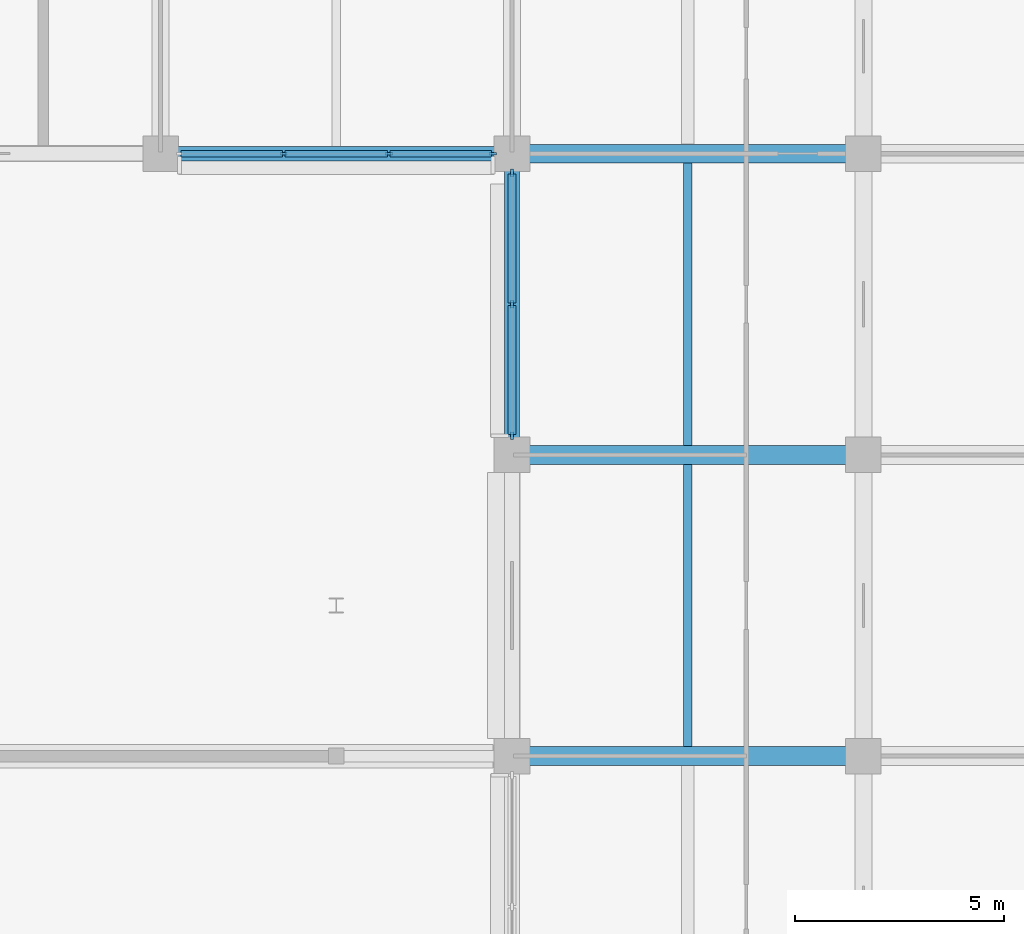
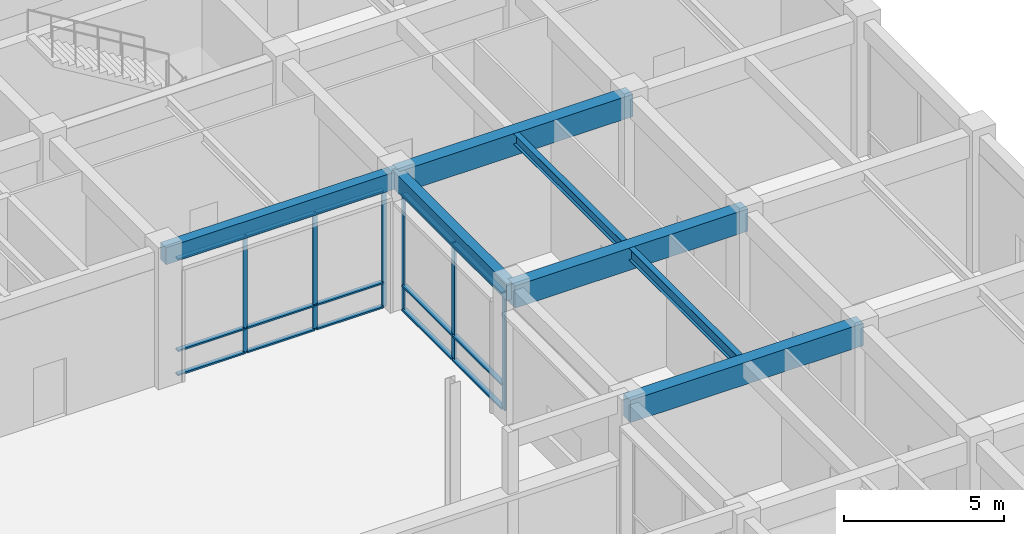
# One storey, part 28 of 73: 21 members, 7 beams, 2 elements without a shape of their own.
"""IFC4 building model written with IfcOpenShell, lengths in metres."""

import ifcopenshell
import ifcopenshell.guid

model = None  # the IFC model being written
_history = None  # IfcOwnerHistory: only IFC2X3 demands one
_inside = {}  # id of a spatial element -> (the spatial element, [elements in it])
_under = {}  # id of a project, library or spatial element -> (it, [spatial elements below it])
_declared = {}  # id of a project -> (the project, [libraries it declares])
_typed = {}  # id of a type object -> (the type object, [elements of that type])
_made_of = {}  # id of a material, layer set ... -> (it, [elements and type objects made of it])


def new_model(schema):
    """Start an empty IFC model of exactly this schema.

    Asked for "IFC4X3", IfcOpenShell would pick the latest addendum, in which some entities
    have other attributes; the version numbers below select the first issue.
    IFC2X3 requires an IfcOwnerHistory on every rooted entity: one is made here for all.
    """
    global model, _history
    if schema == "IFC4X3":
        model = ifcopenshell.file(schema_version=(4, 3, 0, 0))
    else:
        model = ifcopenshell.file(schema=schema)
    _inside.clear()
    _under.clear()
    _declared.clear()
    _typed.clear()
    _made_of.clear()
    _history = None
    if model.schema == "IFC2X3":
        org = make("IfcOrganization", Name="unknown")
        user = make(
            "IfcPersonAndOrganization",
            ThePerson=make("IfcPerson", FamilyName="unknown"),
            TheOrganization=org,
        )
        app = make(
            "IfcApplication",
            ApplicationDeveloper=org,
            Version="unknown",
            ApplicationFullName="unknown",
            ApplicationIdentifier="unknown",
        )
        _history = make(
            "IfcOwnerHistory",
            OwningUser=user,
            OwningApplication=app,
            ChangeAction="ADDED",
            CreationDate=0,
        )
    return model


def make(cls, **values):
    """One entity of the class cls with the attributes given. An attribute that is None is left unset."""
    return model.create_entity(
        cls, **{name: value for name, value in values.items() if value is not None}
    )


def rooted(cls, **values):
    """An entity with a GlobalId (a new one), such as an element, a storey or a relation."""
    return make(cls, GlobalId=ifcopenshell.guid.new(), OwnerHistory=_history, **values)


def si_unit(unit_type, name, prefix=None):
    """IfcSIUnit, for example si_unit("LENGTHUNIT", "METRE", prefix="MILLI")."""
    return make("IfcSIUnit", UnitType=unit_type, Prefix=prefix, Name=name)


def assignment(units):
    """IfcUnitAssignment: the units of a project."""
    return None if units is None else make("IfcUnitAssignment", Units=units)


def point(xyz):
    """IfcCartesianPoint."""
    return None if xyz is None else make("IfcCartesianPoint", Coordinates=xyz)


def direction(xyz):
    """IfcDirection."""
    return None if xyz is None else make("IfcDirection", DirectionRatios=xyz)


def frame(location, z_axis=None, x_axis=None):
    """IfcAxis2Placement3D, a coordinate frame: its origin and axes. An axis left out is left unset."""
    return make(
        "IfcAxis2Placement3D",
        Location=point(location),
        Axis=direction(z_axis),
        RefDirection=direction(x_axis),
    )


def frame_2d(location, x_axis=None):
    """IfcAxis2Placement2D, a coordinate frame in the plane: its origin and x axis."""
    return make(
        "IfcAxis2Placement2D", Location=point(location), RefDirection=direction(x_axis)
    )


def origin():
    """The frame at (0, 0, 0) with its axes left unset."""
    return frame((0.0, 0.0, 0.0))


def origin_2d():
    """The frame at (0, 0) in the plane with its x axis left unset."""
    return frame_2d((0.0, 0.0))


def place(relative_to, where):
    """IfcLocalPlacement: puts the frame where relative to a parent placement (None: the world)."""
    return make(
        "IfcLocalPlacement", PlacementRelTo=relative_to, RelativePlacement=where
    )


def context(
    kind, dimensions, precision=None, world=None, true_north=None, identifier=None
):
    """IfcGeometricRepresentationContext, for example the 3D "Model" context."""
    return make(
        "IfcGeometricRepresentationContext",
        ContextIdentifier=identifier,
        ContextType=kind,
        CoordinateSpaceDimension=dimensions,
        Precision=precision,
        WorldCoordinateSystem=world,
        TrueNorth=true_north,
    )


def subcontext(parent, identifier, kind, view, scale=None):
    """IfcGeometricRepresentationSubContext, for example "Body" below "Model"."""
    return make(
        "IfcGeometricRepresentationSubContext",
        ContextIdentifier=identifier,
        ContextType=kind,
        ParentContext=parent,
        TargetScale=scale,
        TargetView=view,
    )


def project(units=None, contexts=None):
    """IfcProject with its units and contexts."""
    return rooted(
        "IfcProject",
        Name="project",
        RepresentationContexts=contexts,
        UnitsInContext=assignment(units),
    )


def spatial(cls, under=None, at=None, **own):
    """A site, building, storey or space (cls), placed at a placement, below another one or the project."""
    s = rooted(cls, ObjectPlacement=at, **own)
    if under is not None:
        _under.setdefault(under.id(), (under, []))[1].append(s)
    return s


def profile(cls, at=None, kind="AREA", **sizes):
    """A parametric profile (cls). Its sizes go by their IFC names, for example OverallWidth=200.0."""
    return make(cls, ProfileType=kind, Position=at, **sizes)


def rectangle(**sizes):
    """IfcRectangleProfileDef."""
    return profile("IfcRectangleProfileDef", **sizes)


def i_section(**sizes):
    """IfcIShapeProfileDef."""
    return profile("IfcIShapeProfileDef", **sizes)


def extrude(swept, where, along, depth):
    """IfcExtrudedAreaSolid: the profile swept, set in the frame where, extruded along a direction by depth."""
    return make(
        "IfcExtrudedAreaSolid",
        SweptArea=swept,
        Position=where,
        ExtrudedDirection=direction(along),
        Depth=depth,
    )


def shape(context_of_items, identifier, shape_type, items):
    """IfcShapeRepresentation: the items that make up one representation, for example the "Body"."""
    return make(
        "IfcShapeRepresentation",
        ContextOfItems=context_of_items,
        RepresentationIdentifier=identifier,
        RepresentationType=shape_type,
        Items=items,
    )


def material(Name=None, Category=None):
    """IfcMaterial."""
    return make("IfcMaterial", Name=Name, Category=Category)


def layer(
    of_material, thickness, ventilated=None, Name=None, Category=None, Priority=None
):
    """IfcMaterialLayer: one layer of a wall or slab, of a material (None: an air gap)."""
    return make(
        "IfcMaterialLayer",
        Material=of_material,
        LayerThickness=thickness,
        IsVentilated=ventilated,
        Name=Name,
        Category=Category,
        Priority=Priority,
    )


def layer_set(layers, Name=None):
    """IfcMaterialLayerSet."""
    return make("IfcMaterialLayerSet", MaterialLayers=layers, LayerSetName=Name)


def material_profile(
    of_material, cross_section, Name=None, Category=None, Priority=None
):
    """IfcMaterialProfile: a cross section and its material."""
    return make(
        "IfcMaterialProfile",
        Name=Name,
        Material=of_material,
        Profile=cross_section,
        Priority=Priority,
        Category=Category,
    )


def profile_set(profiles, Name=None, composite=None):
    """IfcMaterialProfileSet."""
    return make(
        "IfcMaterialProfileSet",
        Name=Name,
        MaterialProfiles=profiles,
        CompositeProfile=composite,
    )


def made_of(thing, what):
    """Note that an element or type object is made of a material, layer set ...; save() writes the relation."""
    if what is not None:
        _made_of.setdefault(what.id(), (what, []))[1].append(thing)
    return thing


def type_object(cls, material=None, **own):
    """A type object (cls), such as IfcWallType, which elements share."""
    return made_of(rooted(cls, **own), material)


def element(
    cls,
    number,
    at=None,
    inside=None,
    cuts=None,
    type_object=None,
    material=None,
    context=None,
    identifier="Body",
    shape_type=None,
    held_by="IfcProductDefinitionShape",
    body=None,
    shapes=None,
    **own,
):
    """One element of the class cls, such as IfcWall. Its Tag is "e" and its number.

    at: its placement. inside: the storey or other place that contains it. cuts: it is an
    opening in that element (IfcRelVoidsElement). A single representation is given by context,
    identifier, shape_type and body (its items); several are given by shapes. held_by: the class
    of the entity that holds the representations. save() writes the other relations.
    """
    e = rooted(cls, Tag="e%d" % number, ObjectPlacement=at, **own)
    if body is not None:
        shapes = [shape(context, identifier, shape_type, body)]
    if shapes is not None:
        e.Representation = make(held_by, Representations=shapes)
    if inside is not None:
        _inside.setdefault(inside.id(), (inside, []))[1].append(e)
    if cuts is not None:
        rooted(
            "IfcRelVoidsElement", RelatingBuildingElement=cuts, RelatedOpeningElement=e
        )
    if type_object is not None:
        _typed.setdefault(type_object.id(), (type_object, []))[1].append(e)
    return made_of(e, material)


def aggregate(whole, parts):
    """IfcRelAggregates: a whole, such as a stair, and the parts it consists of."""
    return rooted("IfcRelAggregates", RelatingObject=whole, RelatedObjects=parts)


def save(model, path):
    """Write the relations noted so far, then the file.

    IfcRelAggregates (storeys below a building ...), IfcRelContainedInSpatialStructure (elements
    in a storey), IfcRelDefinesByType, IfcRelAssociatesMaterial and IfcRelDeclares: one each for
    every whole, place, type object, material and project.
    """
    for whole, parts in _under.values():
        aggregate(whole, parts)
    for where, things in _inside.values():
        rooted(
            "IfcRelContainedInSpatialStructure",
            RelatedElements=things,
            RelatingStructure=where,
        )
    for kind, things in _typed.values():
        rooted("IfcRelDefinesByType", RelatedObjects=things, RelatingType=kind)
    for what, things in _made_of.values():
        rooted("IfcRelAssociatesMaterial", RelatedObjects=things, RelatingMaterial=what)
    for by, libraries in _declared.values():
        rooted("IfcRelDeclares", RelatingContext=by, RelatedDefinitions=libraries)
    model.write(path)


model = new_model("IFC4")

# Units and contexts
model_context = context("Model", 3, precision=1e-05, world=origin(), true_north=direction((0.0, 1.0)))
body_context = subcontext(model_context, "Body", "Model", "MODEL_VIEW")
ifc_project = project(units=[si_unit("LENGTHUNIT", "METRE"), si_unit("AREAUNIT", "SQUARE_METRE"), si_unit("VOLUMEUNIT", "CUBIC_METRE"), si_unit("PLANEANGLEUNIT", "RADIAN"), si_unit("MASSUNIT", "GRAM", prefix="KILO")], contexts=[model_context])

# Site, building, storey
site_placement = place(None, origin())
site = spatial("IfcSite", under=ifc_project, at=site_placement, CompositionType="ELEMENT")
building_placement = place(site_placement, origin())
building = spatial("IfcBuilding", under=site, at=building_placement, Name="Chengyuan Square Courthouse", CompositionType="ELEMENT")
storey_placement = place(building_placement, origin())
storey = spatial("IfcBuildingStorey", under=building, at=storey_placement, Name="L01", CompositionType="ELEMENT", Elevation=0.0)

# Beams
ifc_material_1 = material(Name="Concrete C40", Category="concrete")
ifc_material_profile_1 = material_profile(ifc_material_1, rectangle(XDim=0.449951171875, YDim=0.85009765625, at=origin_2d()), Name="RC-BM-450x850")
ifc_profile_set_1 = profile_set([ifc_material_profile_1], Name="Concrete C40")
beam_type_1 = type_object("IfcBeamType", Name="BM-01", PredefinedType="USERDEFINED", material=ifc_profile_set_1)
for number, where, z_axis, x_axis, name in (
    (1, (151.199951171875, 64.800048828125, 4.695068359375), (1.0, 0.0, 0.0), (0.0, 1.0, 0.0), "Girder BM-L01-1683"),
    (2, (151.199951171875, 72.0, 4.695068359375), (1.0, 0.0, 0.0), (0.0, 1.0, 0.0), "Girder BM-L01-1687"),
    (3, (151.199951171875, 79.199951171875, 4.695068359375), (1.0, 0.0, 0.0), (0.0, 1.0, 0.0), "Girder BM-L01-1707"),
):
    element("IfcBeam", number, at=place(storey_placement, frame(where, z_axis=z_axis, x_axis=x_axis)), inside=storey, type_object=beam_type_1, Name=name, ObjectType="GIRDER", PredefinedType="USERDEFINED", context=body_context, shape_type="SweptSolid", body=[
        extrude(rectangle(XDim=0.449951171875, YDim=0.85009765625, at=origin_2d()), origin(), (0.0, 0.0, 1.0), 8.400146484375),
    ])
ifc_material_profile_2 = material_profile(ifc_material_1, rectangle(XDim=0.35009765625, YDim=0.64990234375, at=origin_2d()), Name="RC-BM-350x650")
ifc_profile_set_2 = profile_set([ifc_material_profile_2], Name="Concrete C40")
beam_type_2 = type_object("IfcBeamType", Name="BM-03", PredefinedType="SPANDREL", material=ifc_profile_set_2)
beam_1_placement = place(storey_placement, frame((142.800048828125, 79.199951171875, 4.794921875), z_axis=(1.0, 0.0, 0.0), x_axis=(0.0, 1.0, 0.0)))
element("IfcBeam", 4, at=beam_1_placement, inside=storey, type_object=beam_type_2, Name="Girder BM-L01-1706", PredefinedType="SPANDREL", context=body_context, shape_type="SweptSolid", body=[
    extrude(rectangle(XDim=0.35009765625, YDim=0.64990234375, at=origin_2d()), origin(), (0.0, 0.0, 1.0), 8.39990234375),
])
beam_2_placement = place(storey_placement, frame((151.199951171875, 72.0, 4.794921875), z_axis=(0.0, 1.0, 0.0), x_axis=(-1.0, 0.0, 0.0)))
element("IfcBeam", 5, at=beam_2_placement, inside=storey, type_object=beam_type_2, Name="Girder BM-L01-1922", PredefinedType="SPANDREL", context=body_context, shape_type="SweptSolid", body=[
    extrude(rectangle(XDim=0.35009765625, YDim=0.64990234375, at=origin_2d()), origin(), (0.0, 0.0, 1.0), 7.199951171875),
])
ifc_material_2 = material(Name="Steel Q355B", Category="steel")
ifc_material_profile_3 = material_profile(ifc_material_2, i_section(OverallWidth=0.199951171875, OverallDepth=0.449951171875, WebThickness=0.009033203125, FlangeThickness=0.013916015625, at=origin_2d()), Name="HN 450x200x9x14")
ifc_profile_set_3 = profile_set([ifc_material_profile_3], Name="Steel Q355B")
beam_type_3 = type_object("IfcBeamType", Name="BM-06", PredefinedType="BEAM", material=ifc_profile_set_3)
beam_3_placement = place(storey_placement, frame((155.39990234375, 65.02490234375, 4.89501953125), z_axis=(0.0, 1.0, 0.0), x_axis=(-1.0, 0.0, 0.0)))
element("IfcBeam", 6, at=beam_3_placement, inside=storey, type_object=beam_type_3, Name="Secondary Floor Beam SBM-L01-2050", PredefinedType="BEAM", context=body_context, shape_type="SweptSolid", body=[
    extrude(i_section(OverallWidth=0.199951171875, OverallDepth=0.449951171875, WebThickness=0.009033203125, FlangeThickness=0.013916015625, at=origin_2d()), origin(), (0.0, 0.0, 1.0), 6.75),
])
ifc_material_profile_4 = material_profile(ifc_material_2, i_section(OverallWidth=0.199951171875, OverallDepth=0.39990234375, WebThickness=0.008056640625, FlangeThickness=0.012939453125, at=origin_2d()), Name="HN 400x200x8x13")
ifc_profile_set_4 = profile_set([ifc_material_profile_4], Name="Steel Q355B")
beam_type_4 = type_object("IfcBeamType", Name="BM-07", PredefinedType="BEAM", material=ifc_profile_set_4)
beam_4_placement = place(storey_placement, frame((155.39990234375, 72.22509765625, 4.919921875), z_axis=(0.0, 1.0, 0.0), x_axis=(-1.0, 0.0, 0.0)))
element("IfcBeam", 7, at=beam_4_placement, inside=storey, type_object=beam_type_4, Name="Secondary Floor Beam SBM-L01-2051", PredefinedType="BEAM", context=body_context, shape_type="SweptSolid", body=[
    extrude(i_section(OverallWidth=0.199951171875, OverallDepth=0.39990234375, WebThickness=0.008056640625, FlangeThickness=0.012939453125, at=origin_2d()), origin(), (0.0, 0.0, 1.0), 6.75),
])

# Curtain wall, members
ifc_material_3 = material(Name="Unitised Aluminium and Triple Low-E Glass", Category="aluminium")
ifc_layer_1 = layer(ifc_material_3, 0.159912109375)
ifc_layer_set_1 = layer_set([ifc_layer_1], Name="Unitised Aluminium and Triple Low-E Glass")
curtain_wall_type_1 = type_object("IfcCurtainWallType", Name="CW-01", PredefinedType="USERDEFINED", material=ifc_layer_set_1)
curtain_wall_1_placement = place(storey_placement, origin())
curtain_wall_1 = element("IfcCurtainWall", 8, at=curtain_wall_1_placement, inside=storey, type_object=curtain_wall_type_1, Name="Unitised Curtain Wall CW-L01-027", ObjectType="UNITISED CURTAIN WALL", PredefinedType="USERDEFINED")
ifc_material_4 = material(Name="Aluminium 6063-T6 Frame", Category="aluminium")
ifc_material_profile_5 = material_profile(ifc_material_4, rectangle(XDim=0.06005859375, YDim=0.159912109375, at=origin_2d()), Name="CW-MUL-60x160")
ifc_profile_set_5 = profile_set([ifc_material_profile_5], Name="Aluminium 6063-T6 Frame")
member_type_1 = type_object("IfcMemberType", Name="CWM-01", PredefinedType="MULLION", material=ifc_profile_set_5)
member_1_placement = place(storey_placement, frame((145.74169921875, 79.199951171875, 0.0), z_axis=(0.0, 0.0, 1.0), x_axis=(0.0, 1.0, 0.0)))
member_1 = element("IfcMember", 9, at=member_1_placement, type_object=member_type_1, Name="CW-01 mullion 2", PredefinedType="MULLION", context=body_context, shape_type="SweptSolid", body=[
    extrude(rectangle(XDim=0.06005859375, YDim=0.159912109375, at=origin_2d()), origin(), (0.0, 0.0, 1.0), 4.469970703125),
])
member_2_placement = place(storey_placement, frame((148.25830078125, 79.199951171875, 0.0), z_axis=(0.0, 0.0, 1.0), x_axis=(0.0, 1.0, 0.0)))
member_2 = element("IfcMember", 10, at=member_2_placement, type_object=member_type_1, Name="CW-01 mullion 3", PredefinedType="MULLION", context=body_context, shape_type="SweptSolid", body=[
    extrude(rectangle(XDim=0.06005859375, YDim=0.159912109375, at=origin_2d()), origin(), (0.0, 0.0, 1.0), 4.469970703125),
])
member_3_placement = place(storey_placement, frame((150.7451171875, 79.199951171875, 0.0), z_axis=(0.0, 0.0, 1.0), x_axis=(0.0, 1.0, 0.0)))
member_3 = element("IfcMember", 11, at=member_3_placement, type_object=member_type_1, Name="CW-01 mullion 4", PredefinedType="MULLION", context=body_context, shape_type="SweptSolid", body=[
    extrude(rectangle(XDim=0.06005859375, YDim=0.159912109375, at=origin_2d()), origin(), (0.0, 0.0, 1.0), 4.469970703125),
])

ifc_layer_2 = layer(ifc_material_3, 0.179931640625)
ifc_layer_set_2 = layer_set([ifc_layer_2], Name="Unitised Aluminium and Triple Low-E Glass")
curtain_wall_type_2 = type_object("IfcCurtainWallType", Name="CW-14", PredefinedType="USERDEFINED", material=ifc_layer_set_2)
curtain_wall_2_placement = place(storey_placement, origin())
curtain_wall_2 = element("IfcCurtainWall", 12, at=curtain_wall_2_placement, inside=storey, type_object=curtain_wall_type_2, Name="Unitised Curtain Wall CW-L01-033", ObjectType="UNITISED CURTAIN WALL", PredefinedType="USERDEFINED")
ifc_material_profile_6 = material_profile(ifc_material_4, rectangle(XDim=0.06494140625, YDim=0.179931640625, at=origin_2d()), Name="CW-MUL-65x180")
ifc_profile_set_6 = profile_set([ifc_material_profile_6], Name="Aluminium 6063-T6 Frame")
member_type_2 = type_object("IfcMemberType", Name="CWM-02", PredefinedType="MULLION", material=ifc_profile_set_6)
member_4_placement = place(storey_placement, frame((151.199951171875, 72.45751953125, 0.0), z_axis=(0.0, 0.0, 1.0), x_axis=(-1.0, 0.0, 0.0)))
member_4 = element("IfcMember", 13, at=member_4_placement, type_object=member_type_2, Name="CW-14 mullion 1", PredefinedType="MULLION", context=body_context, shape_type="SweptSolid", body=[
    extrude(rectangle(XDim=0.06494140625, YDim=0.179931640625, at=origin_2d()), origin(), (0.0, 0.0, 1.0), 4.469970703125),
])
member_5_placement = place(storey_placement, frame((151.199951171875, 75.60009765625, 0.0), z_axis=(0.0, 0.0, 1.0), x_axis=(-1.0, 0.0, 0.0)))
member_5 = element("IfcMember", 14, at=member_5_placement, type_object=member_type_2, Name="CW-14 mullion 2", PredefinedType="MULLION", context=body_context, shape_type="SweptSolid", body=[
    extrude(rectangle(XDim=0.06494140625, YDim=0.179931640625, at=origin_2d()), origin(), (0.0, 0.0, 1.0), 4.469970703125),
])
member_6_placement = place(storey_placement, frame((151.199951171875, 78.742431640625, 0.0), z_axis=(0.0, 0.0, 1.0), x_axis=(-1.0, 0.0, 0.0)))
member_6 = element("IfcMember", 15, at=member_6_placement, type_object=member_type_2, Name="CW-14 mullion 3", PredefinedType="MULLION", context=body_context, shape_type="SweptSolid", body=[
    extrude(rectangle(XDim=0.06494140625, YDim=0.179931640625, at=origin_2d()), origin(), (0.0, 0.0, 1.0), 4.469970703125),
])

# Member
ifc_material_profile_7 = material_profile(ifc_material_4, rectangle(XDim=0.159912109375, YDim=0.06005859375, at=origin_2d()), Name="CW-TRN-60x120")
ifc_profile_set_7 = profile_set([ifc_material_profile_7], Name="Aluminium 6063-T6 Frame")
member_type_3 = type_object("IfcMemberType", Name="CWT-01", PredefinedType="USERDEFINED", material=ifc_profile_set_7)
member_7_placement = place(storey_placement, frame((143.284912109375, 79.199951171875, 0.030029296875), z_axis=(1.0, 0.0, 0.0), x_axis=(0.0, 1.0, 0.0)))
member_7 = element("IfcMember", 16, at=member_7_placement, type_object=member_type_3, Name="CW-01 transom 1.1", ObjectType="TRANSOM", PredefinedType="USERDEFINED", context=body_context, shape_type="SweptSolid", body=[
    extrude(rectangle(XDim=0.159912109375, YDim=0.06005859375, at=origin_2d()), origin(), (0.0, 0.0, 1.0), 2.4267578125),
])

member_8_placement = place(storey_placement, frame((143.284912109375, 79.199951171875, 0.949951171875), z_axis=(1.0, 0.0, 0.0), x_axis=(0.0, 1.0, 0.0)))
member_8 = element("IfcMember", 17, at=member_8_placement, type_object=member_type_3, Name="CW-01 transom 1.2", ObjectType="TRANSOM", PredefinedType="USERDEFINED", context=body_context, shape_type="SweptSolid", body=[
    extrude(rectangle(XDim=0.159912109375, YDim=0.06005859375, at=origin_2d()), origin(), (0.0, 0.0, 1.0), 2.4267578125),
])

member_9_placement = place(storey_placement, frame((143.284912109375, 79.199951171875, 4.43994140625), z_axis=(1.0, 0.0, 0.0), x_axis=(0.0, 1.0, 0.0)))
member_9 = element("IfcMember", 18, at=member_9_placement, type_object=member_type_3, Name="CW-01 transom 1.3", ObjectType="TRANSOM", PredefinedType="USERDEFINED", context=body_context, shape_type="SweptSolid", body=[
    extrude(rectangle(XDim=0.159912109375, YDim=0.06005859375, at=origin_2d()), origin(), (0.0, 0.0, 1.0), 2.4267578125),
])

member_10_placement = place(storey_placement, frame((145.771728515625, 79.199951171875, 0.030029296875), z_axis=(1.0, 0.0, 0.0), x_axis=(0.0, 1.0, 0.0)))
member_10 = element("IfcMember", 19, at=member_10_placement, type_object=member_type_3, Name="CW-01 transom 2.1", ObjectType="TRANSOM", PredefinedType="USERDEFINED", context=body_context, shape_type="SweptSolid", body=[
    extrude(rectangle(XDim=0.159912109375, YDim=0.06005859375, at=origin_2d()), origin(), (0.0, 0.0, 1.0), 2.45654296875),
])

member_11_placement = place(storey_placement, frame((145.771728515625, 79.199951171875, 0.949951171875), z_axis=(1.0, 0.0, 0.0), x_axis=(0.0, 1.0, 0.0)))
member_11 = element("IfcMember", 20, at=member_11_placement, type_object=member_type_3, Name="CW-01 transom 2.2", ObjectType="TRANSOM", PredefinedType="USERDEFINED", context=body_context, shape_type="SweptSolid", body=[
    extrude(rectangle(XDim=0.159912109375, YDim=0.06005859375, at=origin_2d()), origin(), (0.0, 0.0, 1.0), 2.45654296875),
])

member_12_placement = place(storey_placement, frame((145.771728515625, 79.199951171875, 4.43994140625), z_axis=(1.0, 0.0, 0.0), x_axis=(0.0, 1.0, 0.0)))
member_12 = element("IfcMember", 21, at=member_12_placement, type_object=member_type_3, Name="CW-01 transom 2.3", ObjectType="TRANSOM", PredefinedType="USERDEFINED", context=body_context, shape_type="SweptSolid", body=[
    extrude(rectangle(XDim=0.159912109375, YDim=0.06005859375, at=origin_2d()), origin(), (0.0, 0.0, 1.0), 2.45654296875),
])

member_13_placement = place(storey_placement, frame((148.288330078125, 79.199951171875, 0.030029296875), z_axis=(1.0, 0.0, 0.0), x_axis=(0.0, 1.0, 0.0)))
member_13 = element("IfcMember", 22, at=member_13_placement, type_object=member_type_3, Name="CW-01 transom 3.1", ObjectType="TRANSOM", PredefinedType="USERDEFINED", context=body_context, shape_type="SweptSolid", body=[
    extrude(rectangle(XDim=0.159912109375, YDim=0.06005859375, at=origin_2d()), origin(), (0.0, 0.0, 1.0), 2.4267578125),
])

member_14_placement = place(storey_placement, frame((148.288330078125, 79.199951171875, 0.949951171875), z_axis=(1.0, 0.0, 0.0), x_axis=(0.0, 1.0, 0.0)))
member_14 = element("IfcMember", 23, at=member_14_placement, type_object=member_type_3, Name="CW-01 transom 3.2", ObjectType="TRANSOM", PredefinedType="USERDEFINED", context=body_context, shape_type="SweptSolid", body=[
    extrude(rectangle(XDim=0.159912109375, YDim=0.06005859375, at=origin_2d()), origin(), (0.0, 0.0, 1.0), 2.4267578125),
])

member_15_placement = place(storey_placement, frame((148.288330078125, 79.199951171875, 4.43994140625), z_axis=(1.0, 0.0, 0.0), x_axis=(0.0, 1.0, 0.0)))
member_15 = element("IfcMember", 24, at=member_15_placement, type_object=member_type_3, Name="CW-01 transom 3.3", ObjectType="TRANSOM", PredefinedType="USERDEFINED", context=body_context, shape_type="SweptSolid", body=[
    extrude(rectangle(XDim=0.159912109375, YDim=0.06005859375, at=origin_2d()), origin(), (0.0, 0.0, 1.0), 2.4267578125),
])

aggregate(curtain_wall_1, [member_1, member_2, member_3, member_7, member_8, member_9, member_10, member_11, member_12, member_13, member_14, member_15])

ifc_material_profile_8 = material_profile(ifc_material_4, rectangle(XDim=0.179931640625, YDim=0.06494140625, at=origin_2d()), Name="CW-TRN-65x140")
ifc_profile_set_8 = profile_set([ifc_material_profile_8], Name="Aluminium 6063-T6 Frame")
member_type_4 = type_object("IfcMemberType", Name="CWT-02", PredefinedType="USERDEFINED", material=ifc_profile_set_8)
member_16_placement = place(storey_placement, frame((151.199951171875, 72.489990234375, 0.032470703125), z_axis=(0.0, 1.0, 0.0), x_axis=(-1.0, 0.0, 0.0)))
member_16 = element("IfcMember", 25, at=member_16_placement, type_object=member_type_4, Name="CW-14 transom 1.1", ObjectType="TRANSOM", PredefinedType="USERDEFINED", context=body_context, shape_type="SweptSolid", body=[
    extrude(rectangle(XDim=0.179931640625, YDim=0.06494140625, at=origin_2d()), origin(), (0.0, 0.0, 1.0), 3.077392578125),
])

member_17_placement = place(storey_placement, frame((151.199951171875, 72.489990234375, 0.949951171875), z_axis=(0.0, 1.0, 0.0), x_axis=(-1.0, 0.0, 0.0)))
member_17 = element("IfcMember", 26, at=member_17_placement, type_object=member_type_4, Name="CW-14 transom 1.2", ObjectType="TRANSOM", PredefinedType="USERDEFINED", context=body_context, shape_type="SweptSolid", body=[
    extrude(rectangle(XDim=0.179931640625, YDim=0.06494140625, at=origin_2d()), origin(), (0.0, 0.0, 1.0), 3.077392578125),
])

member_18_placement = place(storey_placement, frame((151.199951171875, 72.489990234375, 4.4375), z_axis=(0.0, 1.0, 0.0), x_axis=(-1.0, 0.0, 0.0)))
member_18 = element("IfcMember", 27, at=member_18_placement, type_object=member_type_4, Name="CW-14 transom 1.3", ObjectType="TRANSOM", PredefinedType="USERDEFINED", context=body_context, shape_type="SweptSolid", body=[
    extrude(rectangle(XDim=0.179931640625, YDim=0.06494140625, at=origin_2d()), origin(), (0.0, 0.0, 1.0), 3.077392578125),
])

member_19_placement = place(storey_placement, frame((151.199951171875, 75.632568359375, 0.032470703125), z_axis=(0.0, 1.0, 0.0), x_axis=(-1.0, 0.0, 0.0)))
member_19 = element("IfcMember", 28, at=member_19_placement, type_object=member_type_4, Name="CW-14 transom 2.1", ObjectType="TRANSOM", PredefinedType="USERDEFINED", context=body_context, shape_type="SweptSolid", body=[
    extrude(rectangle(XDim=0.179931640625, YDim=0.06494140625, at=origin_2d()), origin(), (0.0, 0.0, 1.0), 3.077392578125),
])

member_20_placement = place(storey_placement, frame((151.199951171875, 75.632568359375, 0.949951171875), z_axis=(0.0, 1.0, 0.0), x_axis=(-1.0, 0.0, 0.0)))
member_20 = element("IfcMember", 29, at=member_20_placement, type_object=member_type_4, Name="CW-14 transom 2.2", ObjectType="TRANSOM", PredefinedType="USERDEFINED", context=body_context, shape_type="SweptSolid", body=[
    extrude(rectangle(XDim=0.179931640625, YDim=0.06494140625, at=origin_2d()), origin(), (0.0, 0.0, 1.0), 3.077392578125),
])

member_21_placement = place(storey_placement, frame((151.199951171875, 75.632568359375, 4.4375), z_axis=(0.0, 1.0, 0.0), x_axis=(-1.0, 0.0, 0.0)))
member_21 = element("IfcMember", 30, at=member_21_placement, type_object=member_type_4, Name="CW-14 transom 2.3", ObjectType="TRANSOM", PredefinedType="USERDEFINED", context=body_context, shape_type="SweptSolid", body=[
    extrude(rectangle(XDim=0.179931640625, YDim=0.06494140625, at=origin_2d()), origin(), (0.0, 0.0, 1.0), 3.077392578125),
])

aggregate(curtain_wall_2, [member_4, member_5, member_6, member_16, member_17, member_18, member_19, member_20, member_21])

save(model, "model.ifc")
